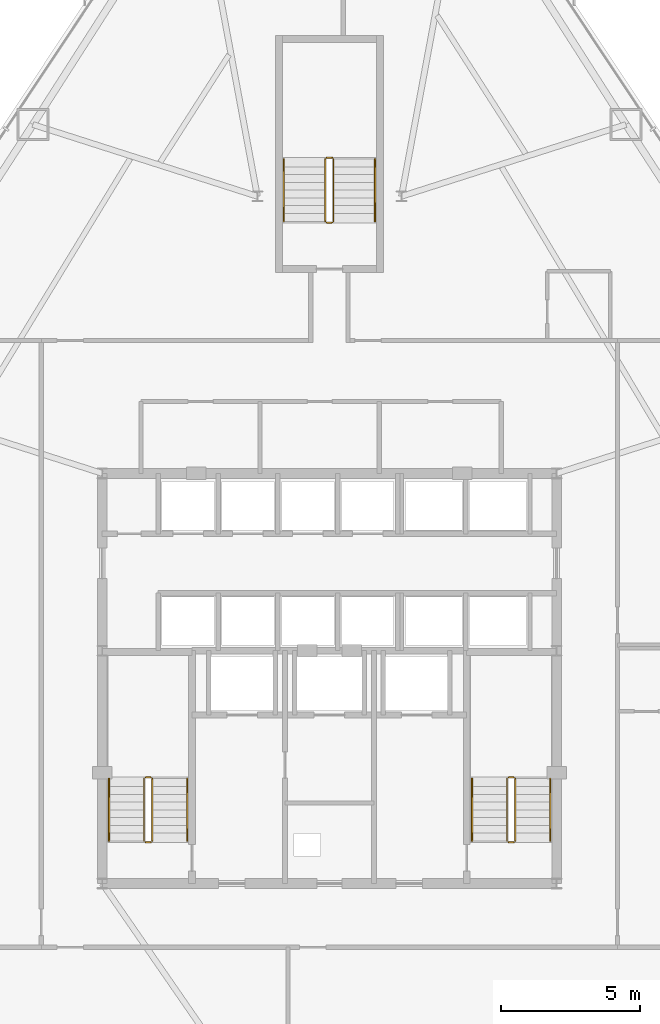
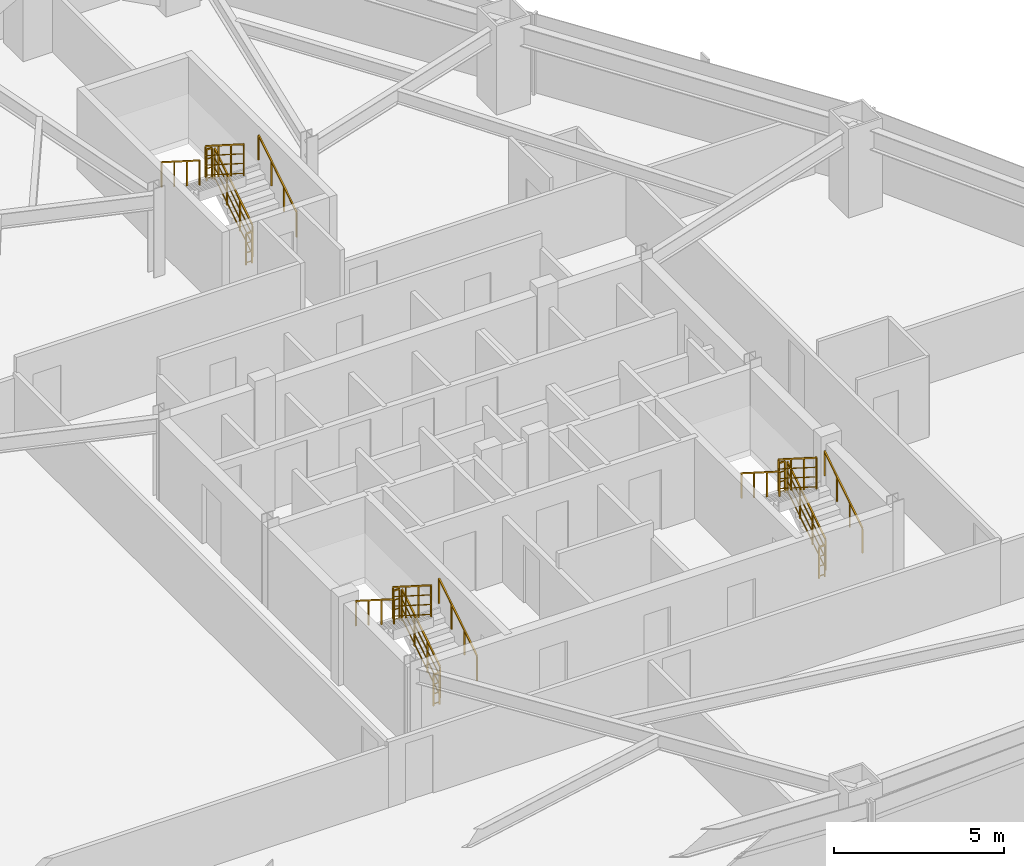
# One storey, part 12 of 12: 18 railings.
"""IFC4 building model written with IfcOpenShell, lengths in metres."""

from ifc_helpers import new_model, si_unit, direction, frame, origin, origin_2d, place, context, subcontext, project, spatial, rectangle, extrude, material, type_object, element, save


model = new_model("IFC4")

# Units and contexts
model_context = context("Model", 3, precision=1e-05, world=origin(), true_north=direction((0.0, 1.0)))
body_context = subcontext(model_context, "Body", "Model", "MODEL_VIEW")
ifc_project = project(units=[si_unit("LENGTHUNIT", "METRE"), si_unit("AREAUNIT", "SQUARE_METRE"), si_unit("VOLUMEUNIT", "CUBIC_METRE"), si_unit("PLANEANGLEUNIT", "RADIAN"), si_unit("MASSUNIT", "GRAM", prefix="KILO")], contexts=[model_context])

# Site, building, storey
site_placement = place(None, origin())
site = spatial("IfcSite", under=ifc_project, at=site_placement, CompositionType="ELEMENT")
building_placement = place(site_placement, origin())
building = spatial("IfcBuilding", under=site, at=building_placement, Name="Varakhsha Concourse Tower", CompositionType="ELEMENT")
storey_placement = place(building_placement, frame((0.0, 0.0, 65.60009765625)))
storey = spatial("IfcBuildingStorey", under=building, at=storey_placement, Name="L18", CompositionType="ELEMENT", Elevation=65.60009765625)

# Railings
ifc_material = material(Name="Brushed Austenitic Stainless Steel AISI 316", Category="steel")
railing_type_1 = type_object("IfcRailingType", Name="RL-STAIR-GUARD-1100", PredefinedType="GUARDRAIL", material=ifc_material)
railing_1_placement = place(storey_placement, frame((33.610107421875, 17.93994140625, 0.177734375)))
element("IfcRailing", 1, at=railing_1_placement, inside=storey, type_object=railing_type_1, Name="L18 ST1 stair guard 1", PredefinedType="GUARDRAIL", context=body_context, shape_type="SweptSolid", body=[
    extrude(rectangle(XDim=0.048095703125, YDim=0.048095703125, at=origin_2d()), frame((0.0, 0.0, 1.1259765625), z_axis=(0.0, 0.8442293374, 0.53598211339), x_axis=(-1.0, 0.0, 0.0)), (0.0, 0.0, 1.0), 2.6533203125),
    extrude(rectangle(XDim=0.028076171875, YDim=0.028076171875, at=origin_2d()), frame((0.0, 0.0, 0.080078125), z_axis=(0.0, 0.8442293374, 0.53598211339), x_axis=(-1.0, 0.0, 0.0)), (0.0, 0.0, 1.0), 2.6533203125),
    extrude(rectangle(XDim=0.028076171875, YDim=0.028076171875, at=origin_2d()), frame((0.0, 0.0, 0.43701171875), z_axis=(0.0, 0.8442293374, 0.53598211339), x_axis=(-1.0, 0.0, 0.0)), (0.0, 0.0, 1.0), 2.6533203125),
    extrude(rectangle(XDim=0.028076171875, YDim=0.028076171875, at=origin_2d()), frame((0.0, 0.0, 0.781982421875), z_axis=(0.0, 0.8442293374, 0.53598211339), x_axis=(-1.0, 0.0, 0.0)), (0.0, 0.0, 1.0), 2.6533203125),
    extrude(rectangle(XDim=0.0419921875, YDim=0.0419921875, at=origin_2d()), origin(), (0.0, 0.0, 1.0), 1.101806640625),
    extrude(rectangle(XDim=0.0419921875, YDim=0.0419921875, at=origin_2d()), frame((0.0, 0.74658203125, 0.47412109375)), (0.0, 0.0, 1.0), 1.101806640625),
    extrude(rectangle(XDim=0.0419921875, YDim=0.0419921875, at=origin_2d()), frame((0.0, 1.493408203125, 0.947998046875)), (0.0, 0.0, 1.0), 1.101806640625),
    extrude(rectangle(XDim=0.0419921875, YDim=0.0419921875, at=origin_2d()), frame((0.0, 2.239990234375, 1.422119140625)), (0.0, 0.0, 1.0), 1.101806640625),
])
railing_2_placement = place(storey_placement, frame((33.56005859375, 20.22998046875, 1.599853515625)))
element("IfcRailing", 2, at=railing_2_placement, inside=storey, type_object=railing_type_1, Name="L18 ST1 stair guard 2", PredefinedType="GUARDRAIL", context=body_context, shape_type="SweptSolid", body=[
    extrude(rectangle(XDim=0.048095703125, YDim=0.048095703125, at=origin_2d()), frame((0.0, 0.0, 1.1259765625), z_axis=(-1.0, 0.0, 0.0), x_axis=(0.0, -1.0, 0.0)), (0.0, 0.0, 1.0), 0.199951171875),
    extrude(rectangle(XDim=0.028076171875, YDim=0.028076171875, at=origin_2d()), frame((0.0, 0.0, 0.080078125), z_axis=(-1.0, 0.0, 0.0), x_axis=(0.0, -1.0, 0.0)), (0.0, 0.0, 1.0), 0.199951171875),
    extrude(rectangle(XDim=0.028076171875, YDim=0.028076171875, at=origin_2d()), frame((0.0, 0.0, 0.43701171875), z_axis=(-1.0, 0.0, 0.0), x_axis=(0.0, -1.0, 0.0)), (0.0, 0.0, 1.0), 0.199951171875),
    extrude(rectangle(XDim=0.028076171875, YDim=0.028076171875, at=origin_2d()), frame((0.0, 0.0, 0.781982421875), z_axis=(-1.0, 0.0, 0.0), x_axis=(0.0, -1.0, 0.0)), (0.0, 0.0, 1.0), 0.199951171875),
    extrude(rectangle(XDim=0.0419921875, YDim=0.0419921875, at=origin_2d()), origin(), (0.0, 0.0, 1.0), 1.101806640625),
    extrude(rectangle(XDim=0.0419921875, YDim=0.0419921875, at=origin_2d()), frame((-0.199951171875, 0.0, 0.0)), (0.0, 0.0, 1.0), 1.101806640625),
])
railing_3_placement = place(storey_placement, frame((33.31005859375, 20.179931640625, 1.777587890625)))
element("IfcRailing", 3, at=railing_3_placement, inside=storey, type_object=railing_type_1, Name="L18 ST1 stair guard 3", PredefinedType="GUARDRAIL", context=body_context, shape_type="SweptSolid", body=[
    extrude(rectangle(XDim=0.048095703125, YDim=0.048095703125, at=origin_2d()), frame((0.0, 0.0, 1.1259765625), z_axis=(0.0, -0.84418770128, 0.536047689118), x_axis=(1.0, 0.0, 0.0)), (0.0, 0.0, 1.0), 2.6533203125),
    extrude(rectangle(XDim=0.028076171875, YDim=0.028076171875, at=origin_2d()), frame((0.0, 0.0, 0.080078125), z_axis=(0.0, -0.84418770128, 0.536047689118), x_axis=(1.0, 0.0, 0.0)), (0.0, 0.0, 1.0), 2.6533203125),
    extrude(rectangle(XDim=0.028076171875, YDim=0.028076171875, at=origin_2d()), frame((0.0, 0.0, 0.43701171875), z_axis=(0.0, -0.84418770128, 0.536047689118), x_axis=(1.0, 0.0, 0.0)), (0.0, 0.0, 1.0), 2.6533203125),
    extrude(rectangle(XDim=0.028076171875, YDim=0.028076171875, at=origin_2d()), frame((0.0, 0.0, 0.781982421875), z_axis=(0.0, -0.84418770128, 0.536047689118), x_axis=(1.0, 0.0, 0.0)), (0.0, 0.0, 1.0), 2.6533203125),
    extrude(rectangle(XDim=0.0419921875, YDim=0.0419921875, at=origin_2d()), origin(), (0.0, 0.0, 1.0), 1.101806640625),
    extrude(rectangle(XDim=0.0419921875, YDim=0.0419921875, at=origin_2d()), frame((0.0, -0.74658203125, 0.47412109375)), (0.0, 0.0, 1.0), 1.101806640625),
    extrude(rectangle(XDim=0.0419921875, YDim=0.0419921875, at=origin_2d()), frame((0.0, -1.493408203125, 0.9482421875)), (0.0, 0.0, 1.0), 1.101806640625),
    extrude(rectangle(XDim=0.0419921875, YDim=0.0419921875, at=origin_2d()), frame((0.0, -2.239990234375, 1.42236328125)), (0.0, 0.0, 1.0), 1.101806640625),
])
railing_4_placement = place(storey_placement, frame((33.56005859375, 17.889892578125, 0.0)))
element("IfcRailing", 4, at=railing_4_placement, inside=storey, type_object=railing_type_1, Name="L18 ST1 stair guard 4", PredefinedType="GUARDRAIL", context=body_context, shape_type="SweptSolid", body=[
    extrude(rectangle(XDim=0.048095703125, YDim=0.048095703125, at=origin_2d()), frame((0.0, 0.0, 1.1259765625), z_axis=(-1.0, 0.0, 0.0), x_axis=(0.0, -1.0, 0.0)), (0.0, 0.0, 1.0), 0.199951171875),
    extrude(rectangle(XDim=0.028076171875, YDim=0.028076171875, at=origin_2d()), frame((0.0, 0.0, 0.080078125), z_axis=(-1.0, 0.0, 0.0), x_axis=(0.0, -1.0, 0.0)), (0.0, 0.0, 1.0), 0.199951171875),
    extrude(rectangle(XDim=0.028076171875, YDim=0.028076171875, at=origin_2d()), frame((0.0, 0.0, 0.43701171875), z_axis=(-1.0, 0.0, 0.0), x_axis=(0.0, -1.0, 0.0)), (0.0, 0.0, 1.0), 0.199951171875),
    extrude(rectangle(XDim=0.028076171875, YDim=0.028076171875, at=origin_2d()), frame((0.0, 0.0, 0.781982421875), z_axis=(-1.0, 0.0, 0.0), x_axis=(0.0, -1.0, 0.0)), (0.0, 0.0, 1.0), 0.199951171875),
    extrude(rectangle(XDim=0.0419921875, YDim=0.0419921875, at=origin_2d()), origin(), (0.0, 0.0, 1.0), 1.101806640625),
    extrude(rectangle(XDim=0.0419921875, YDim=0.0419921875, at=origin_2d()), frame((-0.199951171875, 0.0, 0.0)), (0.0, 0.0, 1.0), 1.101806640625),
])
railing_5_placement = place(storey_placement, frame((46.7099609375, 17.93994140625, 0.177734375)))
element("IfcRailing", 5, at=railing_5_placement, inside=storey, type_object=railing_type_1, Name="L18 ST2 stair guard 1", PredefinedType="GUARDRAIL", context=body_context, shape_type="SweptSolid", body=[
    extrude(rectangle(XDim=0.048095703125, YDim=0.048095703125, at=origin_2d()), frame((0.0, 0.0, 1.1259765625), z_axis=(0.0, 0.8442293374, 0.53598211339), x_axis=(-1.0, 0.0, 0.0)), (0.0, 0.0, 1.0), 2.6533203125),
    extrude(rectangle(XDim=0.028076171875, YDim=0.028076171875, at=origin_2d()), frame((0.0, 0.0, 0.080078125), z_axis=(0.0, 0.8442293374, 0.53598211339), x_axis=(-1.0, 0.0, 0.0)), (0.0, 0.0, 1.0), 2.6533203125),
    extrude(rectangle(XDim=0.028076171875, YDim=0.028076171875, at=origin_2d()), frame((0.0, 0.0, 0.43701171875), z_axis=(0.0, 0.8442293374, 0.53598211339), x_axis=(-1.0, 0.0, 0.0)), (0.0, 0.0, 1.0), 2.6533203125),
    extrude(rectangle(XDim=0.028076171875, YDim=0.028076171875, at=origin_2d()), frame((0.0, 0.0, 0.781982421875), z_axis=(0.0, 0.8442293374, 0.53598211339), x_axis=(-1.0, 0.0, 0.0)), (0.0, 0.0, 1.0), 2.6533203125),
    extrude(rectangle(XDim=0.0419921875, YDim=0.0419921875, at=origin_2d()), origin(), (0.0, 0.0, 1.0), 1.101806640625),
    extrude(rectangle(XDim=0.0419921875, YDim=0.0419921875, at=origin_2d()), frame((0.0, 0.74658203125, 0.47412109375)), (0.0, 0.0, 1.0), 1.101806640625),
    extrude(rectangle(XDim=0.0419921875, YDim=0.0419921875, at=origin_2d()), frame((0.0, 1.493408203125, 0.947998046875)), (0.0, 0.0, 1.0), 1.101806640625),
    extrude(rectangle(XDim=0.0419921875, YDim=0.0419921875, at=origin_2d()), frame((0.0, 2.239990234375, 1.422119140625)), (0.0, 0.0, 1.0), 1.101806640625),
])
railing_6_placement = place(storey_placement, frame((46.659912109375, 20.22998046875, 1.599853515625)))
element("IfcRailing", 6, at=railing_6_placement, inside=storey, type_object=railing_type_1, Name="L18 ST2 stair guard 2", PredefinedType="GUARDRAIL", context=body_context, shape_type="SweptSolid", body=[
    extrude(rectangle(XDim=0.048095703125, YDim=0.048095703125, at=origin_2d()), frame((0.0, 0.0, 1.1259765625), z_axis=(-1.0, 0.0, 0.0), x_axis=(0.0, -1.0, 0.0)), (0.0, 0.0, 1.0), 0.199951171875),
    extrude(rectangle(XDim=0.028076171875, YDim=0.028076171875, at=origin_2d()), frame((0.0, 0.0, 0.080078125), z_axis=(-1.0, 0.0, 0.0), x_axis=(0.0, -1.0, 0.0)), (0.0, 0.0, 1.0), 0.199951171875),
    extrude(rectangle(XDim=0.028076171875, YDim=0.028076171875, at=origin_2d()), frame((0.0, 0.0, 0.43701171875), z_axis=(-1.0, 0.0, 0.0), x_axis=(0.0, -1.0, 0.0)), (0.0, 0.0, 1.0), 0.199951171875),
    extrude(rectangle(XDim=0.028076171875, YDim=0.028076171875, at=origin_2d()), frame((0.0, 0.0, 0.781982421875), z_axis=(-1.0, 0.0, 0.0), x_axis=(0.0, -1.0, 0.0)), (0.0, 0.0, 1.0), 0.199951171875),
    extrude(rectangle(XDim=0.0419921875, YDim=0.0419921875, at=origin_2d()), origin(), (0.0, 0.0, 1.0), 1.101806640625),
    extrude(rectangle(XDim=0.0419921875, YDim=0.0419921875, at=origin_2d()), frame((-0.199951171875, 0.0, 0.0)), (0.0, 0.0, 1.0), 1.101806640625),
])
railing_7_placement = place(storey_placement, frame((46.409912109375, 20.179931640625, 1.777587890625)))
element("IfcRailing", 7, at=railing_7_placement, inside=storey, type_object=railing_type_1, Name="L18 ST2 stair guard 3", PredefinedType="GUARDRAIL", context=body_context, shape_type="SweptSolid", body=[
    extrude(rectangle(XDim=0.048095703125, YDim=0.048095703125, at=origin_2d()), frame((0.0, 0.0, 1.1259765625), z_axis=(0.0, -0.84418770128, 0.536047689118), x_axis=(1.0, 0.0, 0.0)), (0.0, 0.0, 1.0), 2.6533203125),
    extrude(rectangle(XDim=0.028076171875, YDim=0.028076171875, at=origin_2d()), frame((0.0, 0.0, 0.080078125), z_axis=(0.0, -0.84418770128, 0.536047689118), x_axis=(1.0, 0.0, 0.0)), (0.0, 0.0, 1.0), 2.6533203125),
    extrude(rectangle(XDim=0.028076171875, YDim=0.028076171875, at=origin_2d()), frame((0.0, 0.0, 0.43701171875), z_axis=(0.0, -0.84418770128, 0.536047689118), x_axis=(1.0, 0.0, 0.0)), (0.0, 0.0, 1.0), 2.6533203125),
    extrude(rectangle(XDim=0.028076171875, YDim=0.028076171875, at=origin_2d()), frame((0.0, 0.0, 0.781982421875), z_axis=(0.0, -0.84418770128, 0.536047689118), x_axis=(1.0, 0.0, 0.0)), (0.0, 0.0, 1.0), 2.6533203125),
    extrude(rectangle(XDim=0.0419921875, YDim=0.0419921875, at=origin_2d()), origin(), (0.0, 0.0, 1.0), 1.101806640625),
    extrude(rectangle(XDim=0.0419921875, YDim=0.0419921875, at=origin_2d()), frame((0.0, -0.74658203125, 0.47412109375)), (0.0, 0.0, 1.0), 1.101806640625),
    extrude(rectangle(XDim=0.0419921875, YDim=0.0419921875, at=origin_2d()), frame((0.0, -1.493408203125, 0.9482421875)), (0.0, 0.0, 1.0), 1.101806640625),
    extrude(rectangle(XDim=0.0419921875, YDim=0.0419921875, at=origin_2d()), frame((0.0, -2.239990234375, 1.42236328125)), (0.0, 0.0, 1.0), 1.101806640625),
])
railing_8_placement = place(storey_placement, frame((46.659912109375, 17.889892578125, 0.0)))
element("IfcRailing", 8, at=railing_8_placement, inside=storey, type_object=railing_type_1, Name="L18 ST2 stair guard 4", PredefinedType="GUARDRAIL", context=body_context, shape_type="SweptSolid", body=[
    extrude(rectangle(XDim=0.048095703125, YDim=0.048095703125, at=origin_2d()), frame((0.0, 0.0, 1.1259765625), z_axis=(-1.0, 0.0, 0.0), x_axis=(0.0, -1.0, 0.0)), (0.0, 0.0, 1.0), 0.199951171875),
    extrude(rectangle(XDim=0.028076171875, YDim=0.028076171875, at=origin_2d()), frame((0.0, 0.0, 0.080078125), z_axis=(-1.0, 0.0, 0.0), x_axis=(0.0, -1.0, 0.0)), (0.0, 0.0, 1.0), 0.199951171875),
    extrude(rectangle(XDim=0.028076171875, YDim=0.028076171875, at=origin_2d()), frame((0.0, 0.0, 0.43701171875), z_axis=(-1.0, 0.0, 0.0), x_axis=(0.0, -1.0, 0.0)), (0.0, 0.0, 1.0), 0.199951171875),
    extrude(rectangle(XDim=0.028076171875, YDim=0.028076171875, at=origin_2d()), frame((0.0, 0.0, 0.781982421875), z_axis=(-1.0, 0.0, 0.0), x_axis=(0.0, -1.0, 0.0)), (0.0, 0.0, 1.0), 0.199951171875),
    extrude(rectangle(XDim=0.0419921875, YDim=0.0419921875, at=origin_2d()), origin(), (0.0, 0.0, 1.0), 1.101806640625),
    extrude(rectangle(XDim=0.0419921875, YDim=0.0419921875, at=origin_2d()), frame((-0.199951171875, 0.0, 0.0)), (0.0, 0.0, 1.0), 1.101806640625),
])
railing_9_placement = place(storey_placement, frame((40.14990234375, 40.300048828125, 0.177734375)))
element("IfcRailing", 9, at=railing_9_placement, inside=storey, type_object=railing_type_1, Name="L18 ST5 stair guard 1", PredefinedType="GUARDRAIL", context=body_context, shape_type="SweptSolid", body=[
    extrude(rectangle(XDim=0.048095703125, YDim=0.048095703125, at=origin_2d()), frame((0.0, 0.0, 1.1259765625), z_axis=(0.0, 0.8442293374, 0.53598211339), x_axis=(-1.0, 0.0, 0.0)), (0.0, 0.0, 1.0), 2.6533203125),
    extrude(rectangle(XDim=0.028076171875, YDim=0.028076171875, at=origin_2d()), frame((0.0, 0.0, 0.080078125), z_axis=(0.0, 0.8442293374, 0.53598211339), x_axis=(-1.0, 0.0, 0.0)), (0.0, 0.0, 1.0), 2.6533203125),
    extrude(rectangle(XDim=0.028076171875, YDim=0.028076171875, at=origin_2d()), frame((0.0, 0.0, 0.43701171875), z_axis=(0.0, 0.8442293374, 0.53598211339), x_axis=(-1.0, 0.0, 0.0)), (0.0, 0.0, 1.0), 2.6533203125),
    extrude(rectangle(XDim=0.028076171875, YDim=0.028076171875, at=origin_2d()), frame((0.0, 0.0, 0.781982421875), z_axis=(0.0, 0.8442293374, 0.53598211339), x_axis=(-1.0, 0.0, 0.0)), (0.0, 0.0, 1.0), 2.6533203125),
    extrude(rectangle(XDim=0.0419921875, YDim=0.0419921875, at=origin_2d()), origin(), (0.0, 0.0, 1.0), 1.101806640625),
    extrude(rectangle(XDim=0.0419921875, YDim=0.0419921875, at=origin_2d()), frame((0.0, 0.74658203125, 0.47412109375)), (0.0, 0.0, 1.0), 1.101806640625),
    extrude(rectangle(XDim=0.0419921875, YDim=0.0419921875, at=origin_2d()), frame((0.0, 1.493408203125, 0.947998046875)), (0.0, 0.0, 1.0), 1.101806640625),
    extrude(rectangle(XDim=0.0419921875, YDim=0.0419921875, at=origin_2d()), frame((0.0, 2.239990234375, 1.422119140625)), (0.0, 0.0, 1.0), 1.101806640625),
])
railing_10_placement = place(storey_placement, frame((40.10009765625, 42.590087890625, 1.599853515625)))
element("IfcRailing", 10, at=railing_10_placement, inside=storey, type_object=railing_type_1, Name="L18 ST5 stair guard 2", PredefinedType="GUARDRAIL", context=body_context, shape_type="SweptSolid", body=[
    extrude(rectangle(XDim=0.048095703125, YDim=0.048095703125, at=origin_2d()), frame((0.0, 0.0, 1.1259765625), z_axis=(-1.0, 0.0, 0.0), x_axis=(0.0, -1.0, 0.0)), (0.0, 0.0, 1.0), 0.2001953125),
    extrude(rectangle(XDim=0.028076171875, YDim=0.028076171875, at=origin_2d()), frame((0.0, 0.0, 0.080078125), z_axis=(-1.0, 0.0, 0.0), x_axis=(0.0, -1.0, 0.0)), (0.0, 0.0, 1.0), 0.2001953125),
    extrude(rectangle(XDim=0.028076171875, YDim=0.028076171875, at=origin_2d()), frame((0.0, 0.0, 0.43701171875), z_axis=(-1.0, 0.0, 0.0), x_axis=(0.0, -1.0, 0.0)), (0.0, 0.0, 1.0), 0.2001953125),
    extrude(rectangle(XDim=0.028076171875, YDim=0.028076171875, at=origin_2d()), frame((0.0, 0.0, 0.781982421875), z_axis=(-1.0, 0.0, 0.0), x_axis=(0.0, -1.0, 0.0)), (0.0, 0.0, 1.0), 0.2001953125),
    extrude(rectangle(XDim=0.0419921875, YDim=0.0419921875, at=origin_2d()), origin(), (0.0, 0.0, 1.0), 1.101806640625),
    extrude(rectangle(XDim=0.0419921875, YDim=0.0419921875, at=origin_2d()), frame((-0.2001953125, 0.0, 0.0)), (0.0, 0.0, 1.0), 1.101806640625),
])
railing_11_placement = place(storey_placement, frame((39.85009765625, 42.5400390625, 1.777587890625)))
element("IfcRailing", 11, at=railing_11_placement, inside=storey, type_object=railing_type_1, Name="L18 ST5 stair guard 3", PredefinedType="GUARDRAIL", context=body_context, shape_type="SweptSolid", body=[
    extrude(rectangle(XDim=0.048095703125, YDim=0.048095703125, at=origin_2d()), frame((0.0, 0.0, 1.1259765625), z_axis=(0.0, -0.84418770128, 0.536047689118), x_axis=(1.0, 0.0, 0.0)), (0.0, 0.0, 1.0), 2.6533203125),
    extrude(rectangle(XDim=0.028076171875, YDim=0.028076171875, at=origin_2d()), frame((0.0, 0.0, 0.080078125), z_axis=(0.0, -0.84418770128, 0.536047689118), x_axis=(1.0, 0.0, 0.0)), (0.0, 0.0, 1.0), 2.6533203125),
    extrude(rectangle(XDim=0.028076171875, YDim=0.028076171875, at=origin_2d()), frame((0.0, 0.0, 0.43701171875), z_axis=(0.0, -0.84418770128, 0.536047689118), x_axis=(1.0, 0.0, 0.0)), (0.0, 0.0, 1.0), 2.6533203125),
    extrude(rectangle(XDim=0.028076171875, YDim=0.028076171875, at=origin_2d()), frame((0.0, 0.0, 0.781982421875), z_axis=(0.0, -0.84418770128, 0.536047689118), x_axis=(1.0, 0.0, 0.0)), (0.0, 0.0, 1.0), 2.6533203125),
    extrude(rectangle(XDim=0.0419921875, YDim=0.0419921875, at=origin_2d()), origin(), (0.0, 0.0, 1.0), 1.101806640625),
    extrude(rectangle(XDim=0.0419921875, YDim=0.0419921875, at=origin_2d()), frame((0.0, -0.74658203125, 0.47412109375)), (0.0, 0.0, 1.0), 1.101806640625),
    extrude(rectangle(XDim=0.0419921875, YDim=0.0419921875, at=origin_2d()), frame((0.0, -1.493408203125, 0.9482421875)), (0.0, 0.0, 1.0), 1.101806640625),
    extrude(rectangle(XDim=0.0419921875, YDim=0.0419921875, at=origin_2d()), frame((0.0, -2.239990234375, 1.42236328125)), (0.0, 0.0, 1.0), 1.101806640625),
])
railing_12_placement = place(storey_placement, frame((40.10009765625, 40.25, 0.0)))
element("IfcRailing", 12, at=railing_12_placement, inside=storey, type_object=railing_type_1, Name="L18 ST5 stair guard 4", PredefinedType="GUARDRAIL", context=body_context, shape_type="SweptSolid", body=[
    extrude(rectangle(XDim=0.048095703125, YDim=0.048095703125, at=origin_2d()), frame((0.0, 0.0, 1.1259765625), z_axis=(-1.0, 0.0, 0.0), x_axis=(0.0, -1.0, 0.0)), (0.0, 0.0, 1.0), 0.2001953125),
    extrude(rectangle(XDim=0.028076171875, YDim=0.028076171875, at=origin_2d()), frame((0.0, 0.0, 0.080078125), z_axis=(-1.0, 0.0, 0.0), x_axis=(0.0, -1.0, 0.0)), (0.0, 0.0, 1.0), 0.2001953125),
    extrude(rectangle(XDim=0.028076171875, YDim=0.028076171875, at=origin_2d()), frame((0.0, 0.0, 0.43701171875), z_axis=(-1.0, 0.0, 0.0), x_axis=(0.0, -1.0, 0.0)), (0.0, 0.0, 1.0), 0.2001953125),
    extrude(rectangle(XDim=0.028076171875, YDim=0.028076171875, at=origin_2d()), frame((0.0, 0.0, 0.781982421875), z_axis=(-1.0, 0.0, 0.0), x_axis=(0.0, -1.0, 0.0)), (0.0, 0.0, 1.0), 0.2001953125),
    extrude(rectangle(XDim=0.0419921875, YDim=0.0419921875, at=origin_2d()), origin(), (0.0, 0.0, 1.0), 1.101806640625),
    extrude(rectangle(XDim=0.0419921875, YDim=0.0419921875, at=origin_2d()), frame((-0.2001953125, 0.0, 0.0)), (0.0, 0.0, 1.0), 1.101806640625),
])
railing_type_2 = type_object("IfcRailingType", Name="RL-STAIR-RAIL-915", PredefinedType="HANDRAIL", material=ifc_material)
railing_13_placement = place(storey_placement, frame((34.8701171875, 17.93994140625, 0.35546875)))
element("IfcRailing", 13, at=railing_13_placement, inside=storey, type_object=railing_type_2, Name="L18 ST1 stair handrail 1", PredefinedType="HANDRAIL", context=body_context, shape_type="SweptSolid", body=[
    extrude(rectangle(XDim=0.048095703125, YDim=0.048095703125, at=origin_2d()), frame((0.0, 0.0, 0.89111328125), z_axis=(0.0, 0.8442293374, 0.53598211339), x_axis=(-1.0, 0.0, 0.0)), (0.0, 0.0, 1.0), 2.6533203125),
    extrude(rectangle(XDim=0.0419921875, YDim=0.0419921875, at=origin_2d()), origin(), (0.0, 0.0, 1.0), 0.866943359375),
    extrude(rectangle(XDim=0.0419921875, YDim=0.0419921875, at=origin_2d()), frame((0.0, 0.74658203125, 0.47412109375)), (0.0, 0.0, 1.0), 0.866943359375),
    extrude(rectangle(XDim=0.0419921875, YDim=0.0419921875, at=origin_2d()), frame((0.0, 1.493408203125, 0.947998046875)), (0.0, 0.0, 1.0), 0.866943359375),
    extrude(rectangle(XDim=0.0419921875, YDim=0.0419921875, at=origin_2d()), frame((0.0, 2.239990234375, 1.422119140625)), (0.0, 0.0, 1.0), 0.866943359375),
])
railing_14_placement = place(storey_placement, frame((32.050048828125, 20.179931640625, 1.95556640625)))
element("IfcRailing", 14, at=railing_14_placement, inside=storey, type_object=railing_type_2, Name="L18 ST1 stair handrail 2", PredefinedType="HANDRAIL", context=body_context, shape_type="SweptSolid", body=[
    extrude(rectangle(XDim=0.048095703125, YDim=0.048095703125, at=origin_2d()), frame((0.0, 0.0, 0.89111328125), z_axis=(0.0, -0.8442293374, 0.53598211339), x_axis=(1.0, 0.0, 0.0)), (0.0, 0.0, 1.0), 2.6533203125),
    extrude(rectangle(XDim=0.0419921875, YDim=0.0419921875, at=origin_2d()), origin(), (0.0, 0.0, 1.0), 0.866943359375),
    extrude(rectangle(XDim=0.0419921875, YDim=0.0419921875, at=origin_2d()), frame((0.0, -0.74658203125, 0.47412109375)), (0.0, 0.0, 1.0), 0.866943359375),
    extrude(rectangle(XDim=0.0419921875, YDim=0.0419921875, at=origin_2d()), frame((0.0, -1.493408203125, 0.947998046875)), (0.0, 0.0, 1.0), 0.866943359375),
    extrude(rectangle(XDim=0.0419921875, YDim=0.0419921875, at=origin_2d()), frame((0.0, -2.239990234375, 1.422119140625)), (0.0, 0.0, 1.0), 0.866943359375),
])
railing_15_placement = place(storey_placement, frame((47.969970703125, 17.93994140625, 0.35546875)))
element("IfcRailing", 15, at=railing_15_placement, inside=storey, type_object=railing_type_2, Name="L18 ST2 stair handrail 1", PredefinedType="HANDRAIL", context=body_context, shape_type="SweptSolid", body=[
    extrude(rectangle(XDim=0.048095703125, YDim=0.048095703125, at=origin_2d()), frame((0.0, 0.0, 0.89111328125), z_axis=(0.0, 0.8442293374, 0.53598211339), x_axis=(-1.0, 0.0, 0.0)), (0.0, 0.0, 1.0), 2.6533203125),
    extrude(rectangle(XDim=0.0419921875, YDim=0.0419921875, at=origin_2d()), origin(), (0.0, 0.0, 1.0), 0.866943359375),
    extrude(rectangle(XDim=0.0419921875, YDim=0.0419921875, at=origin_2d()), frame((0.0, 0.74658203125, 0.47412109375)), (0.0, 0.0, 1.0), 0.866943359375),
    extrude(rectangle(XDim=0.0419921875, YDim=0.0419921875, at=origin_2d()), frame((0.0, 1.493408203125, 0.947998046875)), (0.0, 0.0, 1.0), 0.866943359375),
    extrude(rectangle(XDim=0.0419921875, YDim=0.0419921875, at=origin_2d()), frame((0.0, 2.239990234375, 1.422119140625)), (0.0, 0.0, 1.0), 0.866943359375),
])
railing_16_placement = place(storey_placement, frame((45.14990234375, 20.179931640625, 1.95556640625)))
element("IfcRailing", 16, at=railing_16_placement, inside=storey, type_object=railing_type_2, Name="L18 ST2 stair handrail 2", PredefinedType="HANDRAIL", context=body_context, shape_type="SweptSolid", body=[
    extrude(rectangle(XDim=0.048095703125, YDim=0.048095703125, at=origin_2d()), frame((0.0, 0.0, 0.89111328125), z_axis=(0.0, -0.8442293374, 0.53598211339), x_axis=(1.0, 0.0, 0.0)), (0.0, 0.0, 1.0), 2.6533203125),
    extrude(rectangle(XDim=0.0419921875, YDim=0.0419921875, at=origin_2d()), origin(), (0.0, 0.0, 1.0), 0.866943359375),
    extrude(rectangle(XDim=0.0419921875, YDim=0.0419921875, at=origin_2d()), frame((0.0, -0.74658203125, 0.47412109375)), (0.0, 0.0, 1.0), 0.866943359375),
    extrude(rectangle(XDim=0.0419921875, YDim=0.0419921875, at=origin_2d()), frame((0.0, -1.493408203125, 0.947998046875)), (0.0, 0.0, 1.0), 0.866943359375),
    extrude(rectangle(XDim=0.0419921875, YDim=0.0419921875, at=origin_2d()), frame((0.0, -2.239990234375, 1.422119140625)), (0.0, 0.0, 1.0), 0.866943359375),
])
railing_17_placement = place(storey_placement, frame((41.64990234375, 40.300048828125, 0.35546875)))
element("IfcRailing", 17, at=railing_17_placement, inside=storey, type_object=railing_type_2, Name="L18 ST5 stair handrail 1", PredefinedType="HANDRAIL", context=body_context, shape_type="SweptSolid", body=[
    extrude(rectangle(XDim=0.048095703125, YDim=0.048095703125, at=origin_2d()), frame((0.0, 0.0, 0.89111328125), z_axis=(0.0, 0.8442293374, 0.53598211339), x_axis=(-1.0, 0.0, 0.0)), (0.0, 0.0, 1.0), 2.6533203125),
    extrude(rectangle(XDim=0.0419921875, YDim=0.0419921875, at=origin_2d()), origin(), (0.0, 0.0, 1.0), 0.866943359375),
    extrude(rectangle(XDim=0.0419921875, YDim=0.0419921875, at=origin_2d()), frame((0.0, 0.74658203125, 0.47412109375)), (0.0, 0.0, 1.0), 0.866943359375),
    extrude(rectangle(XDim=0.0419921875, YDim=0.0419921875, at=origin_2d()), frame((0.0, 1.493408203125, 0.947998046875)), (0.0, 0.0, 1.0), 0.866943359375),
    extrude(rectangle(XDim=0.0419921875, YDim=0.0419921875, at=origin_2d()), frame((0.0, 2.239990234375, 1.422119140625)), (0.0, 0.0, 1.0), 0.866943359375),
])
railing_18_placement = place(storey_placement, frame((38.35009765625, 42.5400390625, 1.95556640625)))
element("IfcRailing", 18, at=railing_18_placement, inside=storey, type_object=railing_type_2, Name="L18 ST5 stair handrail 2", PredefinedType="HANDRAIL", context=body_context, shape_type="SweptSolid", body=[
    extrude(rectangle(XDim=0.048095703125, YDim=0.048095703125, at=origin_2d()), frame((0.0, 0.0, 0.89111328125), z_axis=(0.0, -0.8442293374, 0.53598211339), x_axis=(1.0, 0.0, 0.0)), (0.0, 0.0, 1.0), 2.6533203125),
    extrude(rectangle(XDim=0.0419921875, YDim=0.0419921875, at=origin_2d()), origin(), (0.0, 0.0, 1.0), 0.866943359375),
    extrude(rectangle(XDim=0.0419921875, YDim=0.0419921875, at=origin_2d()), frame((0.0, -0.74658203125, 0.47412109375)), (0.0, 0.0, 1.0), 0.866943359375),
    extrude(rectangle(XDim=0.0419921875, YDim=0.0419921875, at=origin_2d()), frame((0.0, -1.493408203125, 0.947998046875)), (0.0, 0.0, 1.0), 0.866943359375),
    extrude(rectangle(XDim=0.0419921875, YDim=0.0419921875, at=origin_2d()), frame((0.0, -2.239990234375, 1.422119140625)), (0.0, 0.0, 1.0), 0.866943359375),
])

save(model, "model.ifc")
